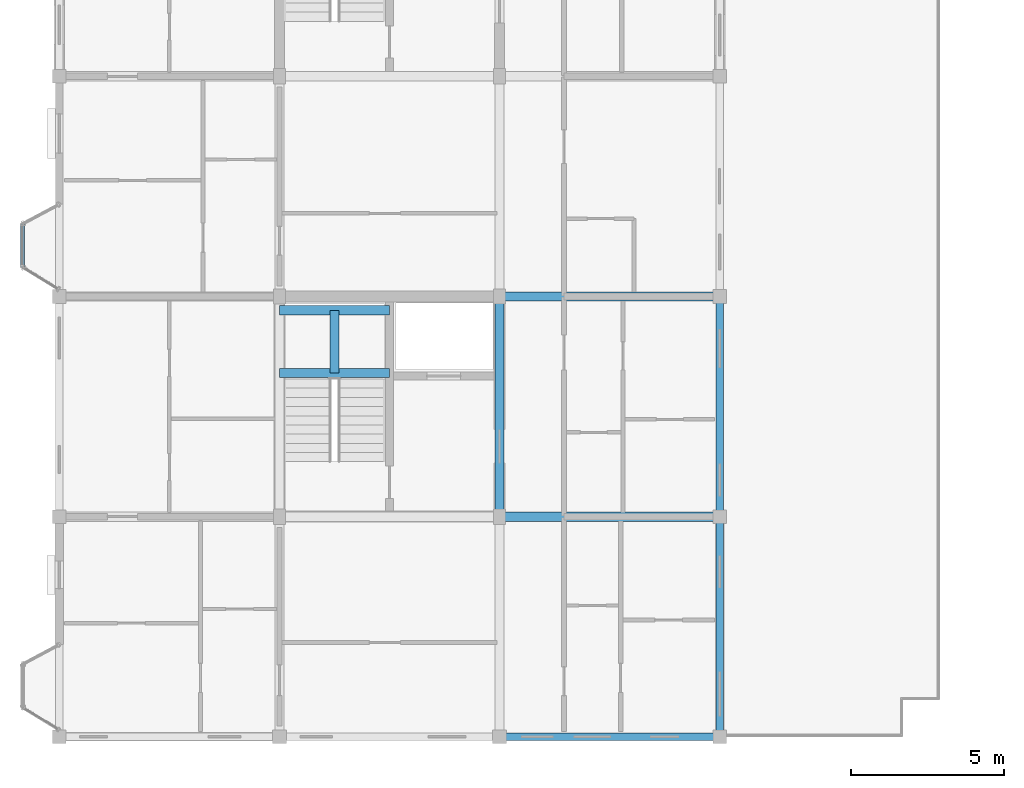
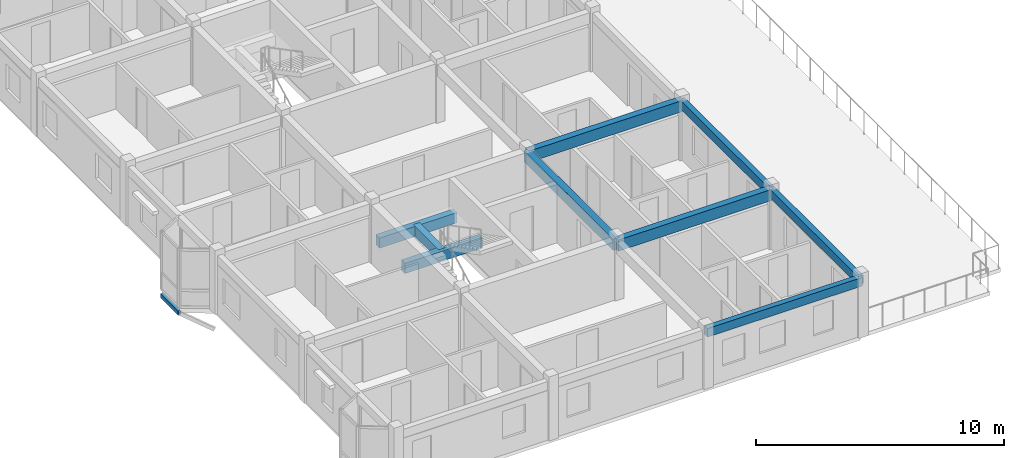
# One storey, part 6 of 40: 9 beams, 1 member.
"""IFC4 building model written with IfcOpenShell, lengths in metres."""

from ifc_helpers import new_model, si_unit, direction, frame, origin, origin_2d, place, context, subcontext, project, spatial, rectangle, hollow_rectangle, extrude, material, material_profile, profile_set, type_object, element, save


model = new_model("IFC4")

# Units and contexts
model_context = context("Model", 3, precision=1e-05, world=origin(), true_north=direction((0.0, 1.0)))
body_context = subcontext(model_context, "Body", "Model", "MODEL_VIEW")
ifc_project = project(units=[si_unit("LENGTHUNIT", "METRE"), si_unit("AREAUNIT", "SQUARE_METRE"), si_unit("VOLUMEUNIT", "CUBIC_METRE"), si_unit("PLANEANGLEUNIT", "RADIAN"), si_unit("MASSUNIT", "GRAM", prefix="KILO"), si_unit("THERMODYNAMICTEMPERATUREUNIT", "KELVIN"), si_unit("POWERUNIT", "WATT")], contexts=[model_context])

# Site, building, storey
site_placement = place(None, origin())
site = spatial("IfcSite", under=ifc_project, at=site_placement, CompositionType="ELEMENT")
building_placement = place(site_placement, origin())
building = spatial("IfcBuilding", under=site, at=building_placement, Name="Tavuni Mirador Residences", CompositionType="ELEMENT")
storey_placement = place(building_placement, frame((0.0, 0.0, 36.0)))
storey = spatial("IfcBuildingStorey", under=building, at=storey_placement, Name="L11", CompositionType="ELEMENT", Elevation=36.0)

# Beams
ifc_material_1 = material(Name="Precast concrete C40/50", Category="concrete")
ifc_material_profile_1 = material_profile(ifc_material_1, rectangle(XDim=0.300048828125, YDim=0.5, at=origin_2d()), Name="PC 300x500", Category="concrete")
ifc_profile_set_1 = profile_set([ifc_material_profile_1], Name="Precast concrete C40/50")
beam_type_1 = type_object("IfcBeamType", Name="BT-B500", PredefinedType="BEAM", material=ifc_profile_set_1)
for number, where, z_axis, x_axis, name in (
    (1, (10.800048828125, 19.10009765625, 1.14501953125), (1.0, 0.0, 0.0), (0.0, 1.0, 0.0), "HLB1-C1-L11"),
    (2, (10.800048828125, 21.14990234375, 1.14501953125), (1.0, 0.0, 0.0), (0.0, 1.0, 0.0), "HLB2-C1-L11"),
):
    element("IfcBeam", number, at=place(storey_placement, frame(where, z_axis=z_axis, x_axis=x_axis)), inside=storey, type_object=beam_type_1, Name=name, PredefinedType="BEAM", context=body_context, shape_type="SweptSolid", body=[
        extrude(rectangle(XDim=0.300048828125, YDim=0.5, at=origin_2d()), origin(), (0.0, 0.0, 1.0), 3.599853515625),
    ])
beam_1_placement = place(storey_placement, frame((12.60009765625, 19.10009765625, 1.14501953125), z_axis=(0.0, 1.0, 0.0), x_axis=(-1.0, 0.0, 0.0)))
element("IfcBeam", 3, at=beam_1_placement, inside=storey, type_object=beam_type_1, Name="HLB3-C1-L11", PredefinedType="BEAM", context=body_context, shape_type="SweptSolid", body=[
    extrude(rectangle(XDim=0.300048828125, YDim=0.5, at=origin_2d()), origin(), (0.0, 0.0, 1.0), 2.0498046875),
])
ifc_material_profile_2 = material_profile(ifc_material_1, rectangle(XDim=0.300048828125, YDim=0.550048828125, at=origin_2d()), Name="PC 300x550", Category="concrete")
ifc_profile_set_2 = profile_set([ifc_material_profile_2], Name="Precast concrete C40/50")
beam_type_2 = type_object("IfcBeamType", Name="BT-B550", PredefinedType="BEAM", material=ifc_profile_set_2)
for number, where, z_axis, x_axis, name in (
    (4, (18.0, 14.39990234375, 2.594970703125), (1.0, 0.0, 0.0), (0.0, 1.0, 0.0), "BMX-BLK-A-L11-02-01"),
    (5, (18.0, 21.60009765625, 2.594970703125), (1.0, 0.0, 0.0), (0.0, 1.0, 0.0), "BMX-BLK-A-L11-02-02"),
):
    element("IfcBeam", number, at=place(storey_placement, frame(where, z_axis=z_axis, x_axis=x_axis)), inside=storey, type_object=beam_type_2, Name=name, PredefinedType="BEAM", context=body_context, shape_type="SweptSolid", body=[
        extrude(rectangle(XDim=0.300048828125, YDim=0.550048828125, at=origin_2d()), origin(), (0.0, 0.0, 1.0), 7.199951171875),
    ])
beam_2_placement = place(storey_placement, frame((18.0, 14.39990234375, 2.594970703125), z_axis=(0.0, 1.0, 0.0), x_axis=(-1.0, 0.0, 0.0)))
element("IfcBeam", 6, at=beam_2_placement, inside=storey, type_object=beam_type_2, Name="BMY-BLK-A-L11-02-01", PredefinedType="BEAM", context=body_context, shape_type="SweptSolid", body=[
    extrude(rectangle(XDim=0.300048828125, YDim=0.550048828125, at=origin_2d()), origin(), (0.0, 0.0, 1.0), 7.2001953125),
])
ifc_material_profile_3 = material_profile(ifc_material_1, rectangle(XDim=0.25, YDim=0.419921875, at=origin_2d()), Name="PC 250x420", Category="concrete")
ifc_profile_set_3 = profile_set([ifc_material_profile_3], Name="Precast concrete C40/50")
beam_type_3 = type_object("IfcBeamType", Name="BT-SP420", PredefinedType="SPANDREL", material=ifc_profile_set_3)
for number, where, z_axis, x_axis, name in (
    (7, (18.0, 7.199951171875, 2.659912109375), (1.0, 0.0, 0.0), (0.0, 1.0, 0.0), "BMX-BLK-A-L11-02-00"),
    (8, (25.199951171875, 7.199951171875, 2.659912109375), (0.0, 1.0, 0.0), (-1.0, 0.0, 0.0), "BMY-BLK-A-L11-03-00"),
):
    element("IfcBeam", number, at=place(storey_placement, frame(where, z_axis=z_axis, x_axis=x_axis)), inside=storey, type_object=beam_type_3, Name=name, PredefinedType="SPANDREL", context=body_context, shape_type="SweptSolid", body=[
        extrude(rectangle(XDim=0.25, YDim=0.419921875, at=origin_2d()), origin(), (0.0, 0.0, 1.0), 7.199951171875),
    ])
beam_3_placement = place(storey_placement, frame((25.199951171875, 14.39990234375, 2.659912109375), z_axis=(0.0, 1.0, 0.0), x_axis=(-1.0, 0.0, 0.0)))
element("IfcBeam", 9, at=beam_3_placement, inside=storey, type_object=beam_type_3, Name="BMY-BLK-A-L11-03-01", PredefinedType="SPANDREL", context=body_context, shape_type="SweptSolid", body=[
    extrude(rectangle(XDim=0.25, YDim=0.419921875, at=origin_2d()), origin(), (0.0, 0.0, 1.0), 7.2001953125),
])

# Member
ifc_material_2 = material(Name="Structural steel S355", Category="steel")
ifc_material_profile_4 = material_profile(ifc_material_2, hollow_rectangle(XDim=0.1201171875, YDim=0.199951171875, WallThickness=0.010009765625, at=origin_2d()), Name="RHS 200x120x10.0", Category="steel")
ifc_profile_set_4 = profile_set([ifc_material_profile_4], Name="Structural steel S355")
member_type = type_object("IfcMemberType", Name="MT-ST-RHS200", PredefinedType="STRUT", material=ifc_profile_set_4)
member_placement = place(storey_placement, frame((2.39990234375, 22.56005859375, -0.280029296875), z_axis=(0.0, 1.0, 0.0), x_axis=(-1.0, 0.0, 0.0)))
element("IfcMember", 10, at=member_placement, inside=storey, type_object=member_type, Name="MRIM-MIR-A-W2-L11", PredefinedType="STRUT", context=body_context, shape_type="SweptSolid", body=[
    extrude(hollow_rectangle(XDim=0.1201171875, YDim=0.199951171875, WallThickness=0.010009765625, at=origin_2d()), origin(), (0.0, 0.0, 1.0), 1.419921875),
])

save(model, "model.ifc")
